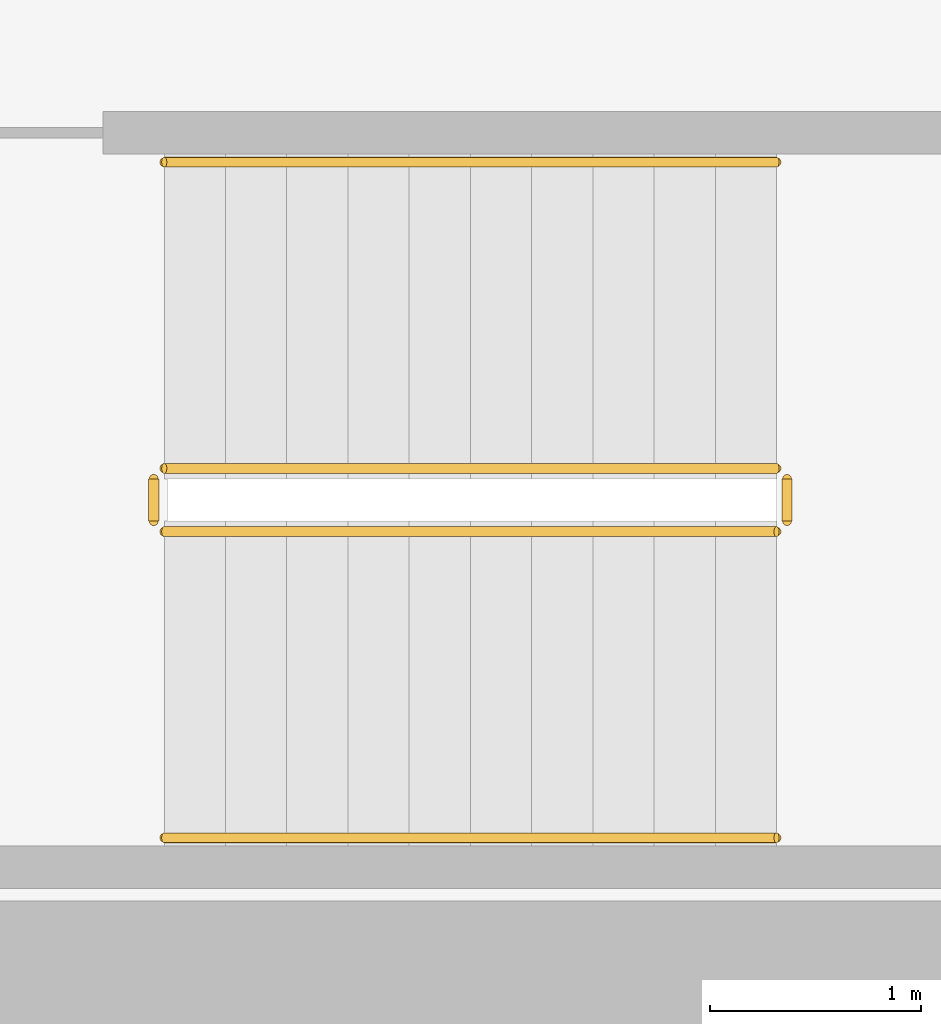
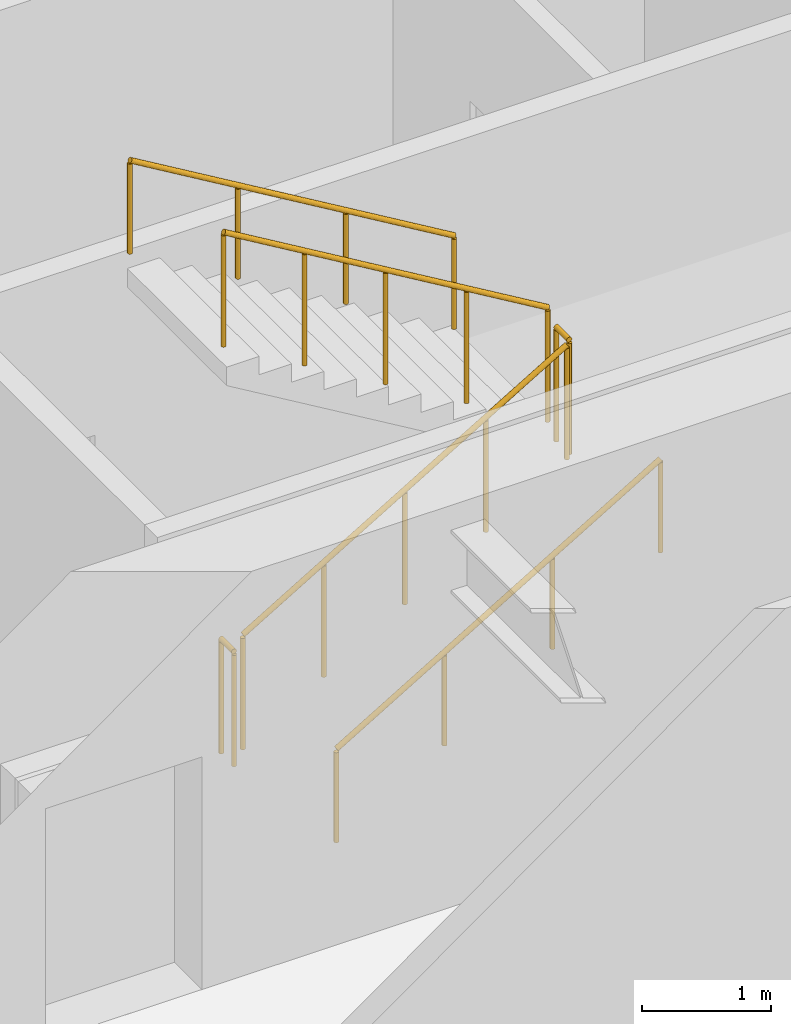
# One storey, part 18 of 19: 6 railings.
"""IFC4 building model written with IfcOpenShell, lengths in metres."""

from ifc_helpers import new_model, si_unit, direction, frame, origin, origin_2d, place, context, subcontext, project, spatial, circle, extrude, material, type_object, element, save


model = new_model("IFC4")

# Units and contexts
model_context = context("Model", 3, precision=1e-05, world=origin(), true_north=direction((0.0, 1.0)))
body_context = subcontext(model_context, "Body", "Model", "MODEL_VIEW")
ifc_project = project(units=[si_unit("LENGTHUNIT", "METRE"), si_unit("AREAUNIT", "SQUARE_METRE"), si_unit("VOLUMEUNIT", "CUBIC_METRE"), si_unit("PLANEANGLEUNIT", "RADIAN"), si_unit("MASSUNIT", "GRAM", prefix="KILO")], contexts=[model_context])

# Site, building, storey
site_placement = place(None, origin())
site = spatial("IfcSite", under=ifc_project, at=site_placement, CompositionType="ELEMENT")
building_placement = place(site_placement, origin())
building = spatial("IfcBuilding", under=site, at=building_placement, Name="Putna Gate Headquarters", CompositionType="ELEMENT")
storey_placement = place(building_placement, frame((0.0, 0.0, 86.0)))
storey = spatial("IfcBuildingStorey", under=building, at=storey_placement, Name="L20", CompositionType="ELEMENT", Elevation=86.0)

# Railings
ifc_material_1 = material(Name="Powder-coated steel stair guardrail", Category="steel")
railing_type_1 = type_object("IfcRailingType", Name="RAIL-STAIR-GUARD-1100", PredefinedType="GUARDRAIL", material=ifc_material_1)
railing_1_placement = place(storey_placement, frame((57.89990234375, 21.10009765625, 0.172607421875)))
element("IfcRailing", 1, at=railing_1_placement, inside=storey, type_object=railing_type_1, Name="L20 ST2 stair guard 1", PredefinedType="GUARDRAIL", context=body_context, shape_type="SweptSolid", body=[
    extrude(circle(Radius=0.02392578125, at=origin_2d()), frame((0.0, 0.0, 1.076171875), z_axis=(0.859160404282, 0.0, 0.51170636083), x_axis=(0.0, 1.0, 0.0)), (0.0, 0.0, 1.0), 3.37548828125),
    extrude(circle(Radius=0.02099609375, at=origin_2d()), origin(), (0.0, 0.0, 1.0), 1.052001953125),
    extrude(circle(Radius=0.02099609375, at=origin_2d()), frame((0.72509765625, 0.0, 0.431884765625)), (0.0, 0.0, 1.0), 1.052001953125),
    extrude(circle(Radius=0.02099609375, at=origin_2d()), frame((1.4501953125, 0.0, 0.86376953125)), (0.0, 0.0, 1.0), 1.052001953125),
    extrude(circle(Radius=0.02099609375, at=origin_2d()), frame((2.175048828125, 0.0, 1.29541015625)), (0.0, 0.0, 1.0), 1.052001953125),
    extrude(circle(Radius=0.02099609375, at=origin_2d()), frame((2.900146484375, 0.0, 1.727294921875)), (0.0, 0.0, 1.0), 1.052001953125),
])
railing_2_placement = place(storey_placement, frame((60.85009765625, 21.14990234375, 1.89990234375)))
element("IfcRailing", 2, at=railing_2_placement, inside=storey, type_object=railing_type_1, Name="L20 ST2 stair guard 2", PredefinedType="GUARDRAIL", context=body_context, shape_type="SweptSolid", body=[
    extrude(circle(Radius=0.02392578125, at=origin_2d()), frame((0.0, 0.0, 1.076171875), z_axis=(0.0, 1.0, 0.0), x_axis=(-1.0, 0.0, 0.0)), (0.0, 0.0, 1.0), 0.2001953125),
    extrude(circle(Radius=0.02099609375, at=origin_2d()), origin(), (0.0, 0.0, 1.0), 1.052001953125),
    extrude(circle(Radius=0.02099609375, at=origin_2d()), frame((0.0, 0.2001953125, 0.0)), (0.0, 0.0, 1.0), 1.052001953125),
])
railing_3_placement = place(storey_placement, frame((60.800048828125, 21.39990234375, 2.07275390625)))
element("IfcRailing", 3, at=railing_3_placement, inside=storey, type_object=railing_type_1, Name="L20 ST2 stair guard 3", PredefinedType="GUARDRAIL", context=body_context, shape_type="SweptSolid", body=[
    extrude(circle(Radius=0.02392578125, at=origin_2d()), frame((0.0, 0.0, 1.076171875), z_axis=(-0.859160404282, 0.0, 0.51170636083), x_axis=(0.0, -1.0, 0.0)), (0.0, 0.0, 1.0), 3.37548828125),
    extrude(circle(Radius=0.02099609375, at=origin_2d()), origin(), (0.0, 0.0, 1.0), 1.052001953125),
    extrude(circle(Radius=0.02099609375, at=origin_2d()), frame((-0.72509765625, 0.0, 0.431884765625)), (0.0, 0.0, 1.0), 1.052001953125),
    extrude(circle(Radius=0.02099609375, at=origin_2d()), frame((-1.4501953125, 0.0, 0.86376953125)), (0.0, 0.0, 1.0), 1.052001953125),
    extrude(circle(Radius=0.02099609375, at=origin_2d()), frame((-2.175048828125, 0.0, 1.29541015625)), (0.0, 0.0, 1.0), 1.052001953125),
    extrude(circle(Radius=0.02099609375, at=origin_2d()), frame((-2.900146484375, 0.0, 1.727294921875)), (0.0, 0.0, 1.0), 1.052001953125),
])
railing_4_placement = place(storey_placement, frame((57.85009765625, 21.14990234375, 0.0)))
element("IfcRailing", 4, at=railing_4_placement, inside=storey, type_object=railing_type_1, Name="L20 ST2 stair guard 4", PredefinedType="GUARDRAIL", context=body_context, shape_type="SweptSolid", body=[
    extrude(circle(Radius=0.02392578125, at=origin_2d()), frame((0.0, 0.0, 1.076171875), z_axis=(0.0, 1.0, 0.0), x_axis=(-1.0, 0.0, 0.0)), (0.0, 0.0, 1.0), 0.2001953125),
    extrude(circle(Radius=0.02099609375, at=origin_2d()), origin(), (0.0, 0.0, 1.0), 1.052001953125),
    extrude(circle(Radius=0.02099609375, at=origin_2d()), frame((0.0, 0.2001953125, 0.0)), (0.0, 0.0, 1.0), 1.052001953125),
])
ifc_material_2 = material(Name="Brushed stainless steel handrail", Category="steel")
railing_type_2 = type_object("IfcRailingType", Name="RAIL-STAIR-HAND-900", PredefinedType="HANDRAIL", material=ifc_material_2)
railing_5_placement = place(storey_placement, frame((57.89990234375, 19.64990234375, 0.172607421875)))
element("IfcRailing", 5, at=railing_5_placement, inside=storey, type_object=railing_type_2, Name="L20 ST2 stair handrail 1", PredefinedType="HANDRAIL", context=body_context, shape_type="SweptSolid", body=[
    extrude(circle(Radius=0.02392578125, at=origin_2d()), frame((0.0, 0.0, 0.8759765625), z_axis=(0.859160404282, 0.0, 0.51170636083), x_axis=(0.0, 1.0, 0.0)), (0.0, 0.0, 1.0), 3.37548828125),
    extrude(circle(Radius=0.02099609375, at=origin_2d()), origin(), (0.0, 0.0, 1.0), 0.851806640625),
    extrude(circle(Radius=0.02099609375, at=origin_2d()), frame((0.966796875, 0.0, 0.57568359375)), (0.0, 0.0, 1.0), 0.851806640625),
    extrude(circle(Radius=0.02099609375, at=origin_2d()), frame((1.933349609375, 0.0, 1.151611328125)), (0.0, 0.0, 1.0), 0.851806640625),
    extrude(circle(Radius=0.02099609375, at=origin_2d()), frame((2.900146484375, 0.0, 1.727294921875)), (0.0, 0.0, 1.0), 0.851806640625),
])
railing_6_placement = place(storey_placement, frame((60.800048828125, 22.85009765625, 2.07275390625)))
element("IfcRailing", 6, at=railing_6_placement, inside=storey, type_object=railing_type_2, Name="L20 ST2 stair handrail 2", PredefinedType="HANDRAIL", context=body_context, shape_type="SweptSolid", body=[
    extrude(circle(Radius=0.02392578125, at=origin_2d()), frame((0.0, 0.0, 0.8759765625), z_axis=(-0.859160404282, 0.0, 0.51170636083), x_axis=(0.0, -1.0, 0.0)), (0.0, 0.0, 1.0), 3.37548828125),
    extrude(circle(Radius=0.02099609375, at=origin_2d()), origin(), (0.0, 0.0, 1.0), 0.851806640625),
    extrude(circle(Radius=0.02099609375, at=origin_2d()), frame((-0.966796875, 0.0, 0.57568359375)), (0.0, 0.0, 1.0), 0.851806640625),
    extrude(circle(Radius=0.02099609375, at=origin_2d()), frame((-1.933349609375, 0.0, 1.151611328125)), (0.0, 0.0, 1.0), 0.851806640625),
    extrude(circle(Radius=0.02099609375, at=origin_2d()), frame((-2.900146484375, 0.0, 1.727294921875)), (0.0, 0.0, 1.0), 0.851806640625),
])

save(model, "model.ifc")
